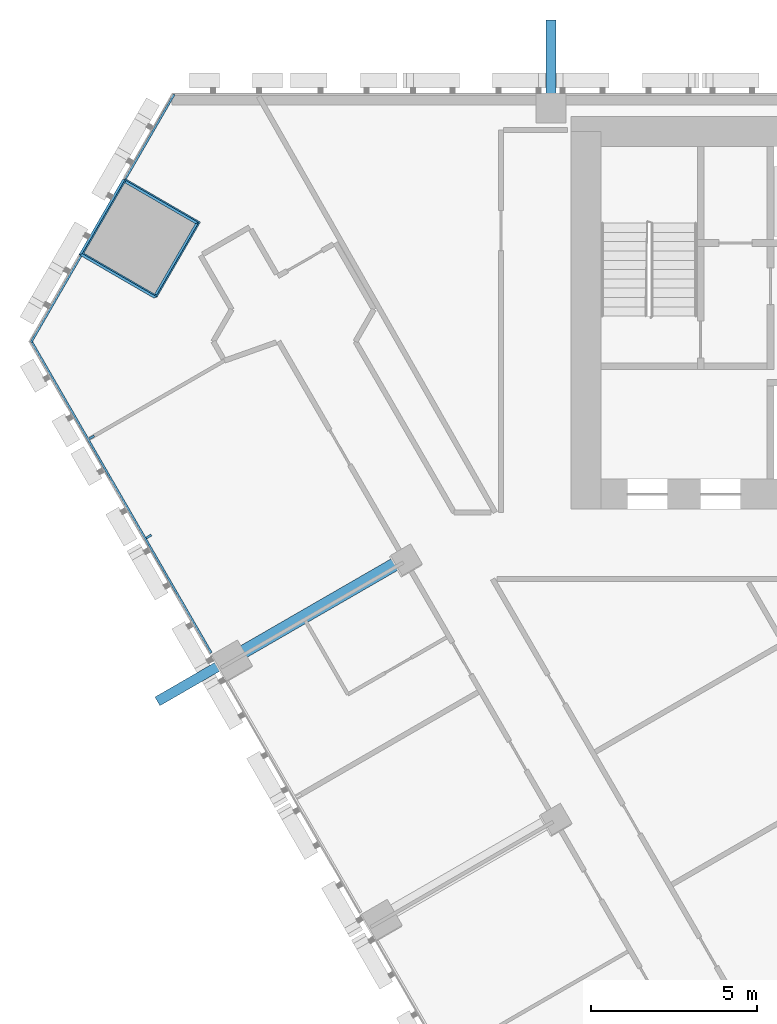
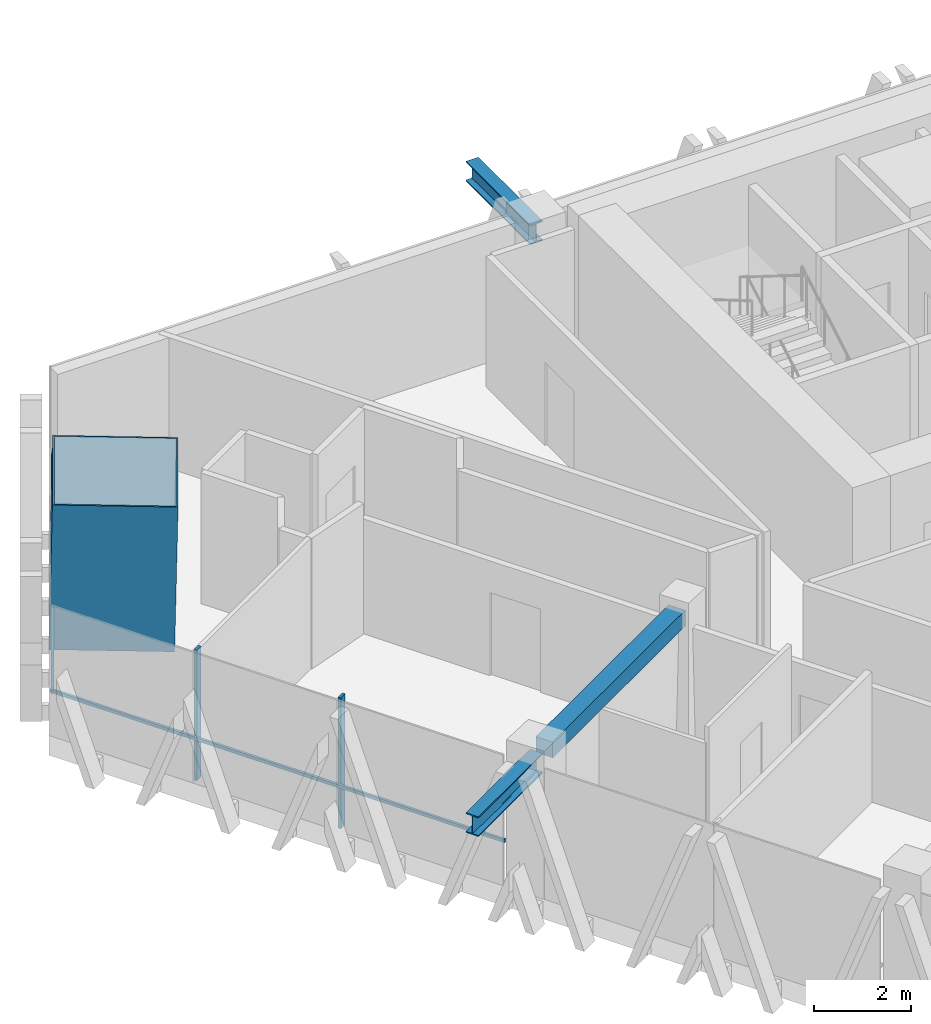
# One storey, part 5 of 15: 8 members, 1 beam, 2 elements without a shape of their own.
"""IFC4 building model written with IfcOpenShell, lengths in metres."""

from ifc_helpers import new_model, si_unit, direction, frame, origin, origin_2d, place, context, subcontext, project, spatial, rectangle, hollow_rectangle, i_section, extrude, material, layer, layer_set, material_profile, profile_set, type_object, element, aggregate, save


model = new_model("IFC4")

# Units and contexts
model_context = context("Model", 3, precision=1e-05, world=origin(), true_north=direction((0.0, 1.0)))
body_context = subcontext(model_context, "Body", "Model", "MODEL_VIEW")
ifc_project = project(units=[si_unit("LENGTHUNIT", "METRE"), si_unit("AREAUNIT", "SQUARE_METRE"), si_unit("VOLUMEUNIT", "CUBIC_METRE"), si_unit("PLANEANGLEUNIT", "RADIAN"), si_unit("MASSUNIT", "GRAM", prefix="KILO")], contexts=[model_context])

# Site, building, storey
site_placement = place(None, origin())
site = spatial("IfcSite", under=ifc_project, at=site_placement, CompositionType="ELEMENT")
building_placement = place(site_placement, origin())
building = spatial("IfcBuilding", under=site, at=building_placement, Name="Altiplano Prism Tower", CompositionType="ELEMENT")
storey_placement = place(building_placement, frame((0.0, 0.0, 91.800048828125)))
storey = spatial("IfcBuildingStorey", under=building, at=storey_placement, Name="L23", CompositionType="ELEMENT", Elevation=91.800048828125)

# Members
ifc_material_1 = material(Name="Steel S355", Category="steel")
ifc_material_profile_1 = material_profile(ifc_material_1, i_section(OverallWidth=0.300048828125, OverallDepth=0.5, WebThickness=0.014404296875, FlangeThickness=0.028076171875, FilletRadius=0.027099609375, at=origin_2d()), Name="Brace bracket HEB 500")
ifc_profile_set_1 = profile_set([ifc_material_profile_1], Name="Steel S355")
member_type_1 = type_object("IfcMemberType", Name="Brace bracket HEB 500", PredefinedType="STRUT", material=ifc_profile_set_1)
member_1_placement = place(storey_placement, frame((71.5, 104.550048828125, 2.949951171875), z_axis=(0.0, 1.0, 0.0), x_axis=(-1.0, 0.0, 0.0)))
element("IfcMember", 1, at=member_1_placement, inside=storey, type_object=member_type_1, Name="Brace bracket 0.95.4", PredefinedType="STRUT", context=body_context, shape_type="SweptSolid", body=[
    extrude(i_section(OverallWidth=0.300048828125, OverallDepth=0.5, WebThickness=0.014404296875, FlangeThickness=0.028076171875, FilletRadius=0.027099609375, at=origin_2d()), origin(), (0.0, 0.0, 1.0), 2.64990234375),
])
member_2_placement = place(storey_placement, frame((61.972900390625, 88.048828125, 2.949951171875), z_axis=(-0.865989200783, -0.500062700197, 0.0), x_axis=(0.500062700197, -0.865989200783, 0.0)))
element("IfcMember", 2, at=member_2_placement, inside=storey, type_object=member_type_1, Name="Brace bracket 1.95.4", PredefinedType="STRUT", context=body_context, shape_type="SweptSolid", body=[
    extrude(i_section(OverallWidth=0.300048828125, OverallDepth=0.5, WebThickness=0.014404296875, FlangeThickness=0.028076171875, FilletRadius=0.027099609375, at=origin_2d()), origin(), (0.0, 0.0, 1.0), 2.650146484375),
])

# Curtain wall, members
ifc_material_2 = material(Name="Aluminium and glass", Category="aluminium")
ifc_layer = layer(ifc_material_2, 0.280029296875)
ifc_layer_set = layer_set([ifc_layer], Name="Aluminium and glass")
curtain_wall_type = type_object("IfcCurtainWallType", Name="CW1 typical co-living unitised curtain wall", PredefinedType="NOTDEFINED", material=ifc_layer_set)
curtain_wall_1_placement = place(storey_placement, origin())
curtain_wall_1 = element("IfcCurtainWall", 3, at=curtain_wall_1_placement, inside=storey, type_object=curtain_wall_type, Name="CW1 curtain wall south-west face L23", PredefinedType="NOTDEFINED")
ifc_material_3 = material(Name="Aluminium", Category="aluminium")
ifc_material_profile_2 = material_profile(ifc_material_3, rectangle(XDim=0.179931640625, YDim=0.06494140625, at=origin_2d()), Name="CW1 mullion 65 x 180")
ifc_profile_set_2 = profile_set([ifc_material_profile_2], Name="Aluminium")
member_type_2 = type_object("IfcMemberType", Name="CW1 mullion 65 x 180", PredefinedType="MULLION", material=ifc_profile_set_2)
member_3_placement = place(storey_placement, frame((57.697998046875, 94.656005859375, 0.0), z_axis=(0.0, 0.0, 1.0), x_axis=(0.866025397248, 0.500000011321, 0.0)))
member_3 = element("IfcMember", 4, at=member_3_placement, type_object=member_type_2, Name="CW1 mullion", PredefinedType="MULLION", context=body_context, shape_type="SweptSolid", body=[
    extrude(rectangle(XDim=0.179931640625, YDim=0.06494140625, at=origin_2d()), origin(), (0.0, 0.0, 1.0), 3.300048828125),
])
member_4_placement = place(storey_placement, frame((59.417724609375, 91.67724609375, 0.0), z_axis=(0.0, 0.0, 1.0), x_axis=(0.866025397248, 0.500000011321, 0.0)))
member_4 = element("IfcMember", 5, at=member_4_placement, type_object=member_type_2, Name="CW1 mullion", PredefinedType="MULLION", context=body_context, shape_type="SweptSolid", body=[
    extrude(rectangle(XDim=0.179931640625, YDim=0.06494140625, at=origin_2d()), origin(), (0.0, 0.0, 1.0), 3.300048828125),
])

curtain_wall_2_placement = place(storey_placement, origin())
curtain_wall_2 = element("IfcCurtainWall", 6, at=curtain_wall_2_placement, inside=storey, type_object=curtain_wall_type, Name="CW1 curtain wall north-west chamfer L23", PredefinedType="NOTDEFINED")
ifc_material_profile_3 = material_profile(ifc_material_3, rectangle(XDim=0.06005859375, YDim=0.080078125, at=origin_2d()), Name="CW1 transom 80 x 60")
ifc_profile_set_3 = profile_set([ifc_material_profile_3], Name="Aluminium")
member_type_3 = type_object("IfcMemberType", Name="CW1 transom 80 x 60", PredefinedType="USERDEFINED", material=ifc_profile_set_3)
member_5_placement = place(storey_placement, frame((60.181640625, 104.965087890625, 1.099853515625), z_axis=(-0.499987164874, -0.866032814021, 0.0), x_axis=(0.866032814021, -0.499987164874, 0.0)))
member_5 = element("IfcMember", 7, at=member_5_placement, type_object=member_type_3, Name="CW1 transom", ObjectType="TRANSOM", PredefinedType="USERDEFINED", context=body_context, shape_type="SweptSolid", body=[
    extrude(rectangle(XDim=0.06005859375, YDim=0.080078125, at=origin_2d()), origin(), (0.0, 0.0, 1.0), 2.92724609375),
])
member_6_placement = place(storey_placement, frame((57.378173828125, 100.10888671875, 1.099853515625), z_axis=(-0.500024640476, -0.866011177132, 0.0), x_axis=(0.866011177132, -0.500024640476, 0.0)))
member_6 = element("IfcMember", 8, at=member_6_placement, type_object=member_type_3, Name="CW1 transom", ObjectType="TRANSOM", PredefinedType="USERDEFINED", context=body_context, shape_type="SweptSolid", body=[
    extrude(rectangle(XDim=0.06005859375, YDim=0.080078125, at=origin_2d()), origin(), (0.0, 0.0, 1.0), 3.007080078125),
])
aggregate(curtain_wall_2, [member_5, member_6])

# Member
member_7_placement = place(storey_placement, frame((55.87451171875, 97.57470703125, 1.099853515625), z_axis=(0.499987379426, -0.866032690154, 0.0), x_axis=(0.866032690154, 0.499987379426, 0.0)))
member_7 = element("IfcMember", 9, at=member_7_placement, type_object=member_type_3, Name="CW1 transom", ObjectType="TRANSOM", PredefinedType="USERDEFINED", context=body_context, shape_type="SweptSolid", body=[
    extrude(rectangle(XDim=0.06005859375, YDim=0.080078125, at=origin_2d()), origin(), (0.0, 0.0, 1.0), 10.848876953125),
])

aggregate(curtain_wall_1, [member_3, member_4, member_7])

ifc_material_4 = material(Name="Steel S460", Category="steel")
ifc_material_profile_4 = material_profile(ifc_material_4, hollow_rectangle(XDim=2.60009765625, YDim=2.60009765625, WallThickness=0.0400390625, at=origin_2d()), Name="Mega column tube 2600")
ifc_profile_set_4 = profile_set([ifc_material_profile_4], Name="Steel S460")
member_type_4 = type_object("IfcMemberType", Name="Mega column tube 2600", PredefinedType="POST", material=ifc_profile_set_4)
member_8_placement = place(storey_placement, frame((59.09326171875, 100.619873046875, 0.0), z_axis=(0.028403739082, 0.009219352065, 0.999554016126), x_axis=(-0.865122942828, 0.501162491493, 0.01996123528)))
element("IfcMember", 10, at=member_8_placement, inside=storey, type_object=member_type_4, Name="Mega column tube M0 L23", PredefinedType="POST", context=body_context, shape_type="SweptSolid", body=[
    extrude(hollow_rectangle(XDim=2.60009765625, YDim=2.60009765625, WallThickness=0.0400390625, at=origin_2d()), origin(), (0.0, 0.0, 1.0), 3.6015625),
])

# Beam
ifc_material_5 = material(Name="Concrete C60/75", Category="concrete")
ifc_material_profile_5 = material_profile(ifc_material_5, rectangle(XDim=0.39990234375, YDim=0.39990234375, at=origin_2d()), Name="Tie beam 400x400")
ifc_profile_set_5 = profile_set([ifc_material_profile_5], Name="Concrete C60/75")
beam_type = type_object("IfcBeamType", Name="Tie beam 400x400", PredefinedType="BEAM", material=ifc_profile_set_5)
beam_placement = place(storey_placement, frame((67.01318359375, 90.958740234375, 3.099853515625), z_axis=(-0.866012292785, -0.50002270823, 0.0), x_axis=(0.50002270823, -0.866012292785, 0.0)))
element("IfcBeam", 11, at=beam_placement, inside=storey, type_object=beam_type, Name="Tie beam I11 L24", PredefinedType="BEAM", context=body_context, shape_type="SweptSolid", body=[
    extrude(rectangle(XDim=0.39990234375, YDim=0.39990234375, at=origin_2d()), origin(), (0.0, 0.0, 1.0), 5.489990234375),
])

save(model, "model.ifc")
